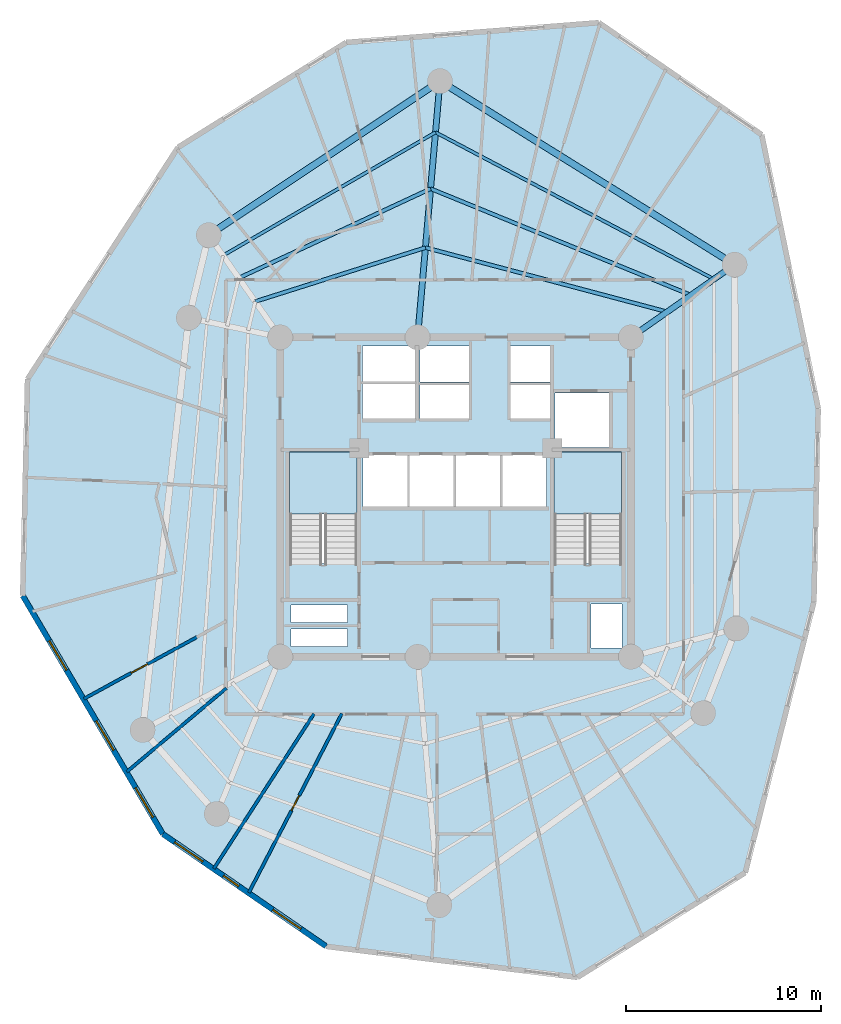
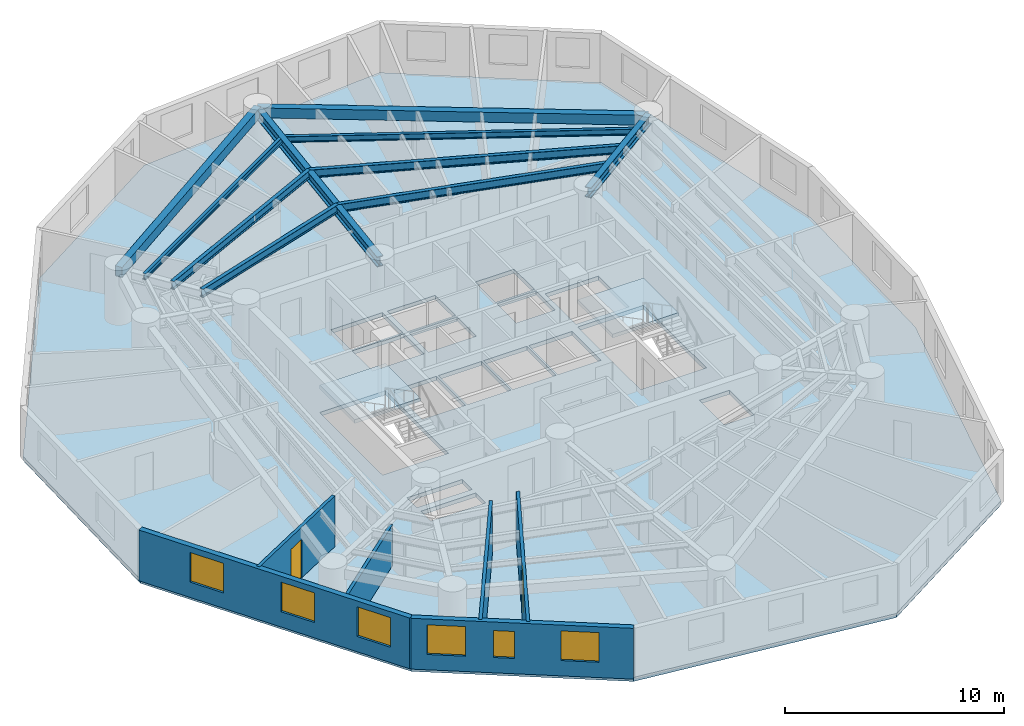
# One storey, part 2 of 8: 10 beams, 6 walls, 6 windows, 3 slabs, 2 doors, 8 openings, 2 elements without a shape of their own.
"""IFC4 building model written with IfcOpenShell, lengths in metres."""

from ifc_helpers import new_model, si_unit, direction, frame, frame_2d, origin, origin_with_axes, origin_2d, place, context, subcontext, project, spatial, polyline, rectangle, i_section, outline, extrude, source, transform, mapped, material, layer, layer_set, material_profile, profile_set, type_object, element, fill, aggregate, save


model = new_model("IFC4")

# Units and contexts
model_context = context("Model", 3, precision=1e-05, world=origin(), true_north=direction((0.0, 1.0)))
body_context = subcontext(model_context, "Body", "Model", "MODEL_VIEW")
ifc_project = project(units=[si_unit("LENGTHUNIT", "METRE"), si_unit("AREAUNIT", "SQUARE_METRE"), si_unit("VOLUMEUNIT", "CUBIC_METRE"), si_unit("PLANEANGLEUNIT", "RADIAN"), si_unit("MASSUNIT", "GRAM", prefix="KILO")], contexts=[model_context])

# Site, building, storey
site_placement = place(None, origin())
site = spatial("IfcSite", under=ifc_project, at=site_placement, CompositionType="ELEMENT")
building_placement = place(site_placement, origin())
building = spatial("IfcBuilding", under=site, at=building_placement, Name="Karkom Vertical University and Central Library", CompositionType="ELEMENT")
storey_placement = place(building_placement, frame((0.0, 0.0, 184.0)))
storey = spatial("IfcBuildingStorey", under=building, at=storey_placement, Name="L53", CompositionType="ELEMENT", Elevation=184.0)

# Beams
ifc_material_1 = material(Name="Precast concrete C45/55", Category="concrete")
ifc_material_profile_1 = material_profile(ifc_material_1, rectangle(XDim=0.35009765625, YDim=0.550048828125, at=origin_2d()), Name="SPB-350x550")
ifc_profile_set_1 = profile_set([ifc_material_profile_1], Name="Precast concrete C45/55")
beam_type_1 = type_object("IfcBeamType", Name="STR-BM-SP-2", PredefinedType="SPANDREL", material=ifc_profile_set_1)
shared_shape_1 = source(origin_with_axes(), body_context, "Body", "SweptSolid", [
    extrude(rectangle(XDim=0.35009765625, YDim=0.550048828125, at=origin_2d()), origin(), (0.0, 0.0, 1.0), 17.81884765625),
])
beam_1_placement = place(storey_placement, frame((42.823974609375, 38.427978515625, 2.550048828125), z_axis=(-0.848764070164, 0.528771740167, 0.0), x_axis=(-0.528771740167, -0.848764070164, 0.0)))
element("IfcBeam", 1, at=beam_1_placement, inside=storey, type_object=beam_type_1, Name="Level 53 Perimeter Spandrel Beam 02", PredefinedType="SPANDREL", context=body_context, shape_type="MappedRepresentation", body=[
    mapped(shared_shape_1, transform((0.0, 0.0, 0.0), scale=1.0)),
])
shared_shape_2 = source(origin_with_axes(), body_context, "Body", "SweptSolid", [
    extrude(rectangle(XDim=0.35009765625, YDim=0.550048828125, at=origin_2d()), origin(), (0.0, 0.0, 1.0), 14.26318359375),
])
beam_2_placement = place(storey_placement, frame((27.699951171875, 47.85009765625, 2.550048828125), z_axis=(-0.83227406272, -0.554364396876, 0.0), x_axis=(0.554364396876, -0.83227406272, 0.0)))
element("IfcBeam", 2, at=beam_2_placement, inside=storey, type_object=beam_type_1, Name="Level 53 Perimeter Spandrel Beam 03", PredefinedType="SPANDREL", context=body_context, shape_type="MappedRepresentation", body=[
    mapped(shared_shape_2, transform((0.0, 0.0, 0.0), scale=1.0)),
])
ifc_material_2 = material(Name="Steel S355", Category="steel")
ifc_material_profile_2 = material_profile(ifc_material_2, i_section(OverallWidth=0.18994140625, OverallDepth=0.449951171875, WebThickness=0.009521484375, FlangeThickness=0.0146484375, FilletRadius=0.02099609375, at=origin_2d()), Name="IPE 450")
ifc_profile_set_2 = profile_set([ifc_material_profile_2], Name="Steel S355")
beam_type_2 = type_object("IfcBeamType", Name="STR-BM-SB-IPE450", PredefinedType="BEAM", material=ifc_profile_set_2)
shared_shape_3 = source(origin_with_axes(), body_context, "Body", "SweptSolid", [
    extrude(i_section(OverallWidth=0.18994140625, OverallDepth=0.449951171875, WebThickness=0.009521484375, FlangeThickness=0.0146484375, FilletRadius=0.02099609375, at=origin_2d()), origin(), (0.0, 0.0, 1.0), 12.841552734375),
])
beam_3_placement = place(storey_placement, frame((39.36328125, 36.0048828125, 2.60009765625), z_axis=(-0.96646647674, 0.256792814032, 0.0), x_axis=(-0.256792814032, -0.96646647674, 0.0)))
element("IfcBeam", 3, at=beam_3_placement, inside=storey, type_object=beam_type_2, Name="Level 53 Secondary Composite Floor Beam 1.02", PredefinedType="BEAM", context=body_context, shape_type="MappedRepresentation", body=[
    mapped(shared_shape_3, transform((0.0, 0.0, 0.0), scale=1.0)),
])
shared_shape_4 = source(origin_with_axes(), body_context, "Body", "SweptSolid", [
    extrude(i_section(OverallWidth=0.18994140625, OverallDepth=0.449951171875, WebThickness=0.009521484375, FlangeThickness=0.0146484375, FilletRadius=0.02099609375, at=origin_2d()), origin(), (0.0, 0.0, 1.0), 9.1650390625),
])
beam_4_placement = place(storey_placement, frame((26.952392578125, 39.302490234375, 2.60009765625), z_axis=(-0.953318200449, -0.301967562319, 0.0), x_axis=(0.301967562319, -0.953318200449, 0.0)))
element("IfcBeam", 4, at=beam_4_placement, inside=storey, type_object=beam_type_2, Name="Level 53 Secondary Composite Floor Beam 1.03", PredefinedType="BEAM", context=body_context, shape_type="MappedRepresentation", body=[
    mapped(shared_shape_4, transform((0.0, 0.0, 0.0), scale=1.0)),
])
shared_shape_5 = source(origin_with_axes(), body_context, "Body", "SweptSolid", [
    extrude(i_section(OverallWidth=0.18994140625, OverallDepth=0.449951171875, WebThickness=0.009521484375, FlangeThickness=0.0146484375, FilletRadius=0.02099609375, at=origin_2d()), origin(), (0.0, 0.0, 1.0), 14.4443359375),
])
beam_5_placement = place(storey_placement, frame((40.587890625, 36.8623046875, 2.60009765625), z_axis=(-0.925675328736, 0.378318894281, 0.0), x_axis=(-0.378318894281, -0.925675328736, 0.0)))
element("IfcBeam", 5, at=beam_5_placement, inside=storey, type_object=beam_type_2, Name="Level 53 Secondary Composite Floor Beam 2.02", PredefinedType="BEAM", context=body_context, shape_type="MappedRepresentation", body=[
    mapped(shared_shape_5, transform((0.0, 0.0, 0.0), scale=1.0)),
])
shared_shape_6 = source(origin_with_axes(), body_context, "Body", "SweptSolid", [
    extrude(i_section(OverallWidth=0.18994140625, OverallDepth=0.449951171875, WebThickness=0.009521484375, FlangeThickness=0.0146484375, FilletRadius=0.02099609375, at=origin_2d()), origin(), (0.0, 0.0, 1.0), 10.86181640625),
])
beam_6_placement = place(storey_placement, frame((27.217041015625, 42.326904296875, 2.60009765625), z_axis=(-0.90649871419, -0.422208575436, 0.0), x_axis=(0.422208575436, -0.90649871419, 0.0)))
element("IfcBeam", 6, at=beam_6_placement, inside=storey, type_object=beam_type_2, Name="Level 53 Secondary Composite Floor Beam 2.03", PredefinedType="BEAM", context=body_context, shape_type="MappedRepresentation", body=[
    mapped(shared_shape_6, transform((0.0, 0.0, 0.0), scale=1.0)),
])
ifc_material_profile_3 = material_profile(ifc_material_2, i_section(OverallWidth=0.159912109375, OverallDepth=0.330078125, WebThickness=0.007568359375, FlangeThickness=0.011474609375, FilletRadius=0.01806640625, at=origin_2d()), Name="IPE 330")
ifc_profile_set_3 = profile_set([ifc_material_profile_3], Name="Steel S355")
beam_type_3 = type_object("IfcBeamType", Name="STR-BM-SB-IPE330", PredefinedType="BEAM", material=ifc_profile_set_3)
shared_shape_7 = source(origin_with_axes(), body_context, "Body", "SweptSolid", [
    extrude(i_section(OverallWidth=0.159912109375, OverallDepth=0.330078125, WebThickness=0.007568359375, FlangeThickness=0.011474609375, FilletRadius=0.01806640625, at=origin_2d()), origin(), (0.0, 0.0, 1.0), 16.155517578125),
])
beam_7_placement = place(storey_placement, frame((41.75927734375, 37.682373046875, 2.659912109375), z_axis=(-0.884486447848, 0.466565883423, 0.0), x_axis=(-0.466565883423, -0.884486447848, 0.0)))
element("IfcBeam", 7, at=beam_7_placement, inside=storey, type_object=beam_type_3, Name="Level 53 Secondary Composite Floor Beam 3.02", PredefinedType="BEAM", context=body_context, shape_type="MappedRepresentation", body=[
    mapped(shared_shape_7, transform((0.0, 0.0, 0.0), scale=1.0)),
])
shared_shape_8 = source(origin_with_axes(), body_context, "Body", "SweptSolid", [
    extrude(i_section(OverallWidth=0.159912109375, OverallDepth=0.330078125, WebThickness=0.007568359375, FlangeThickness=0.011474609375, FilletRadius=0.01806640625, at=origin_2d()), origin(), (0.0, 0.0, 1.0), 12.6083984375),
])
beam_8_placement = place(storey_placement, frame((27.469970703125, 45.219970703125, 2.659912109375), z_axis=(-0.865038920595, -0.50170475965, 0.0), x_axis=(0.50170475965, -0.865038920595, 0.0)))
element("IfcBeam", 8, at=beam_8_placement, inside=storey, type_object=beam_type_3, Name="Level 53 Secondary Composite Floor Beam 3.03", PredefinedType="BEAM", context=body_context, shape_type="MappedRepresentation", body=[
    mapped(shared_shape_8, transform((0.0, 0.0, 0.0), scale=1.0)),
])
ifc_material_profile_4 = material_profile(ifc_material_2, i_section(OverallWidth=0.300048828125, OverallDepth=0.550048828125, WebThickness=0.014892578125, FlangeThickness=0.029052734375, FilletRadius=0.027099609375, at=origin_2d()), Name="HE 550 B")
ifc_profile_set_4 = profile_set([ifc_material_profile_4], Name="Steel S355")
beam_type_4 = type_object("IfcBeamType", Name="STR-BM-SB-HE550", PredefinedType="USERDEFINED", material=ifc_profile_set_4)
shared_shape_9 = source(origin_with_axes(), body_context, "Body", "SweptSolid", [
    extrude(i_section(OverallWidth=0.300048828125, OverallDepth=0.550048828125, WebThickness=0.014892578125, FlangeThickness=0.029052734375, FilletRadius=0.027099609375, at=origin_2d()), origin(), (0.0, 0.0, 1.0), 6.49951171875),
])
beam_9_placement = place(storey_placement, frame((37.5, 34.699951171875, 2.550048828125), z_axis=(0.819141909878, 0.573590909517, 0.0), x_axis=(-0.573590909517, 0.819141909878, 0.0)))
element("IfcBeam", 9, at=beam_9_placement, inside=storey, type_object=beam_type_4, Name="Level 53 Radial Frame Girder 02", ObjectType="GIRDER", PredefinedType="USERDEFINED", context=body_context, shape_type="MappedRepresentation", body=[
    mapped(shared_shape_9, transform((0.0, 0.0, 0.0), scale=1.0)),
])
shared_shape_10 = source(origin_with_axes(), body_context, "Body", "SweptSolid", [
    extrude(i_section(OverallWidth=0.300048828125, OverallDepth=0.550048828125, WebThickness=0.014892578125, FlangeThickness=0.029052734375, FilletRadius=0.027099609375, at=origin_2d()), origin(), (0.0, 0.0, 1.0), 13.200439453125),
])
beam_10_placement = place(storey_placement, frame((26.550048828125, 34.699951171875, 2.550048828125), z_axis=(0.087111657164, 0.996198554098, 0.0), x_axis=(-0.996198554098, 0.087111657164, 0.0)))
element("IfcBeam", 10, at=beam_10_placement, inside=storey, type_object=beam_type_4, Name="Level 53 Radial Frame Girder 03", ObjectType="GIRDER", PredefinedType="USERDEFINED", context=body_context, shape_type="MappedRepresentation", body=[
    mapped(shared_shape_10, transform((0.0, 0.0, 0.0), scale=1.0)),
])

# Stair, slab
ifc_material_3 = material(Name="Concrete C45/55", Category="concrete")
stair_type = type_object("IfcStairType", Name="INT-STR-ST-MAIN", PredefinedType="HALF_TURN_STAIR", material=ifc_material_3)
stair_1_placement = place(storey_placement, origin())
stair_1 = element("IfcStair", 11, at=stair_1_placement, inside=storey, type_object=stair_type, Name="Level 53 Tower Protected Exit Stair ST-1", PredefinedType="HALF_TURN_STAIR")
ifc_layer_1 = layer(ifc_material_3, 0.199951171875)
ifc_layer_set_1 = layer_set([ifc_layer_1], Name="Concrete C45/55")
slab_type_1 = type_object("IfcSlabType", Name="INT-SLB-LANDING", PredefinedType="LANDING", material=ifc_layer_set_1)
slab_1_placement = place(storey_placement, frame((0.0, 0.0, 1.324951171875)))
slab_1 = element("IfcSlab", 12, at=slab_1_placement, type_object=slab_type_1, Name="ST-1 landing 1", PredefinedType="LANDING", context=body_context, shape_type="SweptSolid", body=[
    extrude(outline(polyline([(23.43994140625, 25.6298828125), (23.43994140625, 28.820068359375), (19.97998046875, 28.820068359375), (19.97998046875, 25.6298828125), (23.43994140625, 25.6298828125)])), origin(), (0.0, 0.0, 1.0), 0.199951171875),
])
aggregate(stair_1, [slab_1])

stair_2_placement = place(storey_placement, origin())
stair_2 = element("IfcStair", 13, at=stair_2_placement, inside=storey, type_object=stair_type, Name="Level 53 Tower Protected Exit Stair ST-2", PredefinedType="HALF_TURN_STAIR")
slab_2_placement = place(storey_placement, frame((0.0, 0.0, 1.324951171875)))
slab_2 = element("IfcSlab", 14, at=slab_2_placement, type_object=slab_type_1, Name="ST-2 landing 1", PredefinedType="LANDING", context=body_context, shape_type="SweptSolid", body=[
    extrude(outline(polyline([(37.02001953125, 25.6298828125), (37.02001953125, 28.820068359375), (33.56005859375, 28.820068359375), (33.56005859375, 25.6298828125), (37.02001953125, 25.6298828125)])), origin(), (0.0, 0.0, 1.0), 0.199951171875),
])
aggregate(stair_2, [slab_2])

# Slab
ifc_layer_2 = layer(ifc_material_3, 0.22509765625)
ifc_layer_set_2 = layer_set([ifc_layer_2], Name="Concrete C45/55")
slab_type_2 = type_object("IfcSlabType", Name="STR-SLB-FLR-225", PredefinedType="FLOOR", material=ifc_layer_set_2)
slab_3_placement = place(storey_placement, frame((0.0, 0.0, -0.22509765625)))
element("IfcSlab", 15, at=slab_3_placement, inside=storey, type_object=slab_type_2, Name="Level 53 Tower Structural Floor Slab", PredefinedType="FLOOR", context=body_context, shape_type="SweptSolid", body=[
    extrude(outline(polyline([(6.53076171875, 32.55322265625), (6.2822265625, 21.43408203125), (13.472900390625, 9.201171875), (21.850341796875, 3.439453125), (34.757568359375, 1.85009765625), (43.365478515625, 7.22021484375), (46.888427734375, 21.122802734375), (47.110107421875, 31.05029296875), (44.211669921875, 45.0966796875), (35.852294921875, 50.845947265625), (22.886962890625, 49.83447265625), (14.2607421875, 44.452880859375), (6.53076171875, 32.55322265625)]), holes=[polyline([(19.97998046875, 23.0849609375), (23.43994140625, 23.0849609375), (23.43994140625, 28.820068359375), (19.97998046875, 28.820068359375), (19.97998046875, 23.0849609375)]), polyline([(33.56005859375, 23.0849609375), (37.02001953125, 23.0849609375), (37.02001953125, 28.820068359375), (33.56005859375, 28.820068359375), (33.56005859375, 23.0849609375)]), polyline([(23.75, 26.0), (26.030029296875, 26.0), (26.030029296875, 28.64990234375), (23.75, 28.64990234375), (23.75, 26.0)]), polyline([(26.1298828125, 26.0), (28.409912109375, 26.0), (28.409912109375, 28.64990234375), (26.1298828125, 28.64990234375), (26.1298828125, 26.0)]), polyline([(28.510009765625, 26.0), (30.7900390625, 26.0), (30.7900390625, 28.64990234375), (28.510009765625, 28.64990234375), (28.510009765625, 26.0)]), polyline([(30.889892578125, 26.0), (33.169921875, 26.0), (33.169921875, 28.64990234375), (30.889892578125, 28.64990234375), (30.889892578125, 26.0)]), polyline([(26.679931640625, 30.5), (29.199951171875, 30.5), (29.199951171875, 32.25), (26.679931640625, 32.25), (26.679931640625, 30.5)]), polyline([(26.679931640625, 32.39990234375), (29.199951171875, 32.39990234375), (29.199951171875, 34.25), (26.679931640625, 34.25), (26.679931640625, 32.39990234375)]), polyline([(31.300048828125, 30.5), (33.35009765625, 30.5), (33.35009765625, 32.25), (31.300048828125, 32.25), (31.300048828125, 30.5)]), polyline([(31.300048828125, 32.39990234375), (33.35009765625, 32.39990234375), (33.35009765625, 34.25), (31.300048828125, 34.25), (31.300048828125, 32.39990234375)]), polyline([(23.719970703125, 30.47998046875), (26.429931640625, 30.47998046875), (26.429931640625, 32.320068359375), (23.719970703125, 32.320068359375), (23.719970703125, 30.47998046875)]), polyline([(23.719970703125, 32.419921875), (26.429931640625, 32.419921875), (26.429931640625, 34.260009765625), (23.719970703125, 34.260009765625), (23.719970703125, 32.419921875)]), polyline([(33.60009765625, 29.050048828125), (36.39990234375, 29.050048828125), (36.39990234375, 31.85009765625), (33.60009765625, 31.85009765625), (33.60009765625, 29.050048828125)]), polyline([(20.050048828125, 18.820068359375), (22.949951171875, 18.820068359375), (22.949951171875, 19.719970703125), (20.050048828125, 19.719970703125), (20.050048828125, 18.820068359375)]), polyline([(20.050048828125, 20.06005859375), (22.949951171875, 20.06005859375), (22.949951171875, 20.9599609375), (20.050048828125, 20.9599609375), (20.050048828125, 20.06005859375)]), polyline([(35.4599609375, 18.760009765625), (37.0400390625, 18.760009765625), (37.0400390625, 21.010009765625), (35.4599609375, 21.010009765625), (35.4599609375, 18.760009765625)])]), origin(), (0.0, 0.0, 1.0), 0.22509765625),
])

# Wall, openings, windows
ifc_material_4 = material(Name="Brick-faced precast concrete C45/55", Category="masonry")
ifc_layer_3 = layer(ifc_material_4, 0.280029296875)
ifc_layer_set_3 = layer_set([ifc_layer_3], Name="Brick-faced precast concrete C45/55")
wall_type_1 = type_object("IfcWallType", Name="ENV-WL-BRK-280", PredefinedType="SOLIDWALL", material=ifc_layer_set_3)
wall_1_placement = place(storey_placement, frame((6.2822265625, 21.43408203125, 0.0), z_axis=(0.0, 0.0, 1.0), x_axis=(0.506750167363, -0.862092957794, 0.0)))
wall_1 = element("IfcWall", 16, at=wall_1_placement, inside=storey, type_object=wall_type_1, Name="Level 53 Brick-Faced Precast Facade Wall 02", PredefinedType="SOLIDWALL", context=body_context, shape_type="SweptSolid", body=[
    extrude(rectangle(XDim=14.189697265625, YDim=0.280029296875, at=frame_2d((7.0947265625, 0.0))), origin(), (0.0, 0.0, 1.0), 2.824951171875),
])
opening_1_placement = place(wall_1_placement, frame((2.679931640625, 0.0, 0.85009765625)))
opening_1 = element("IfcOpeningElement", 17, at=opening_1_placement, cuts=wall_1, Name="Opening WN-08", PredefinedType="OPENING", context=body_context, shape_type="SweptSolid", body=[
    extrude(rectangle(XDim=1.75, YDim=1.64990234375, at=frame_2d((0.875, 0.824951171875))), frame((0.0, 0.14990234375, 0.0), z_axis=(0.0, -1.0, 0.0), x_axis=(1.0, 0.0, 0.0)), (0.0, 0.0, 1.0), 0.300048828125),
])
opening_2_placement = place(wall_1_placement, frame((7.447998046875, 0.0, 0.85009765625)))
opening_2 = element("IfcOpeningElement", 18, at=opening_2_placement, cuts=wall_1, Name="Opening WN-08", PredefinedType="OPENING", context=body_context, shape_type="SweptSolid", body=[
    extrude(rectangle(XDim=1.75, YDim=1.64990234375, at=frame_2d((0.875, 0.824951171875))), frame((0.0, 0.14990234375, 0.0), z_axis=(0.0, -1.0, 0.0), x_axis=(1.0, 0.0, 0.0)), (0.0, 0.0, 1.0), 0.300048828125),
])
opening_3_placement = place(wall_1_placement, frame((11.43603515625, 0.0, 0.85009765625)))
opening_3 = element("IfcOpeningElement", 19, at=opening_3_placement, cuts=wall_1, Name="Opening WN-08", PredefinedType="OPENING", context=body_context, shape_type="SweptSolid", body=[
    extrude(rectangle(XDim=1.75, YDim=1.64990234375, at=frame_2d((0.875, 0.824951171875))), frame((0.0, 0.14990234375, 0.0), z_axis=(0.0, -1.0, 0.0), x_axis=(1.0, 0.0, 0.0)), (0.0, 0.0, 1.0), 0.300048828125),
])
ifc_material_5 = material(Name="Aluminium thermal-break frame with solar-control IGU", Category="aluminium")
window_type_1 = type_object("IfcWindowType", Name="ENV-WIN-WN-08", PartitioningType="SINGLE_PANEL", PredefinedType="WINDOW", material=ifc_material_5)
shared_shape_11 = source(origin_with_axes(), body_context, "Body", "SweptSolid", [
    extrude(rectangle(XDim=1.75, YDim=1.64990234375, at=frame_2d((0.875, 0.824951171875))), frame((0.0, 0.030029296875, 0.0), z_axis=(0.0, -1.0, 0.0), x_axis=(1.0, 0.0, 0.0)), (0.0, 0.0, 1.0), 0.06005859375),
])
window_1_placement = place(opening_1_placement, origin())
window_1 = element("IfcWindow", 20, at=window_1_placement, inside=storey, type_object=window_type_1, Name="Level 53 Punched Window 2.1", OverallHeight=1.64990234375, OverallWidth=1.75, PartitioningType="SINGLE_PANEL", PredefinedType="WINDOW", context=body_context, shape_type="MappedRepresentation", body=[
    mapped(shared_shape_11, transform((0.0, 0.0, 0.0), scale=1.0)),
])
fill(opening_1, window_1)
window_2_placement = place(opening_2_placement, origin())
window_2 = element("IfcWindow", 21, at=window_2_placement, inside=storey, type_object=window_type_1, Name="Level 53 Punched Window 2.2", OverallHeight=1.64990234375, OverallWidth=1.75, PartitioningType="SINGLE_PANEL", PredefinedType="WINDOW", context=body_context, shape_type="MappedRepresentation", body=[
    mapped(shared_shape_11, transform((0.0, 0.0, 0.0), scale=1.0)),
])
fill(opening_2, window_2)
window_3_placement = place(opening_3_placement, origin())
window_3 = element("IfcWindow", 22, at=window_3_placement, inside=storey, type_object=window_type_1, Name="Level 53 Punched Window 2.3", OverallHeight=1.64990234375, OverallWidth=1.75, PartitioningType="SINGLE_PANEL", PredefinedType="WINDOW", context=body_context, shape_type="MappedRepresentation", body=[
    mapped(shared_shape_11, transform((0.0, 0.0, 0.0), scale=1.0)),
])
fill(opening_3, window_3)

wall_2_placement = place(storey_placement, frame((13.472900390625, 9.201171875, 0.0), z_axis=(0.0, 0.0, 1.0), x_axis=(0.823939621933, -0.566677597413, 0.0)))
wall_2 = element("IfcWall", 23, at=wall_2_placement, inside=storey, type_object=wall_type_1, Name="Level 53 Brick-Faced Precast Facade Wall 03", PredefinedType="SOLIDWALL", context=body_context, shape_type="SweptSolid", body=[
    extrude(rectangle(XDim=10.16748046875, YDim=0.280029296875, at=frame_2d((5.083740234375, 0.0))), origin(), (0.0, 0.0, 1.0), 2.824951171875),
])
opening_4_placement = place(wall_2_placement, frame((0.7353515625, 0.0, 0.85009765625)))
opening_4 = element("IfcOpeningElement", 24, at=opening_4_placement, cuts=wall_2, Name="Opening WN-08", PredefinedType="OPENING", context=body_context, shape_type="SweptSolid", body=[
    extrude(rectangle(XDim=1.75, YDim=1.64990234375, at=frame_2d((0.875, 0.824951171875))), frame((0.0, 0.14990234375, 0.0), z_axis=(0.0, -1.0, 0.0), x_axis=(1.0, 0.0, 0.0)), (0.0, 0.0, 1.0), 0.300048828125),
])
opening_5_placement = place(wall_2_placement, frame((3.77392578125, 0.0, 0.85009765625)))
opening_5 = element("IfcOpeningElement", 25, at=opening_5_placement, cuts=wall_2, Name="Opening WN-12", PredefinedType="OPENING", context=body_context, shape_type="SweptSolid", body=[
    extrude(rectangle(XDim=0.949951171875, YDim=1.5, at=frame_2d((0.47509765625, 0.75))), frame((0.0, 0.14990234375, 0.0), z_axis=(0.0, -1.0, 0.0), x_axis=(1.0, 0.0, 0.0)), (0.0, 0.0, 1.0), 0.300048828125),
])
opening_6_placement = place(wall_2_placement, frame((6.84716796875, 0.0, 0.85009765625)))
opening_6 = element("IfcOpeningElement", 26, at=opening_6_placement, cuts=wall_2, Name="Opening WN-08", PredefinedType="OPENING", context=body_context, shape_type="SweptSolid", body=[
    extrude(rectangle(XDim=1.75, YDim=1.64990234375, at=frame_2d((0.875, 0.824951171875))), frame((0.0, 0.14990234375, 0.0), z_axis=(0.0, -1.0, 0.0), x_axis=(1.0, 0.0, 0.0)), (0.0, 0.0, 1.0), 0.300048828125),
])
window_type_2 = type_object("IfcWindowType", Name="ENV-WIN-WN-12", PartitioningType="SINGLE_PANEL", PredefinedType="WINDOW", material=ifc_material_5)
shared_shape_12 = source(origin_with_axes(), body_context, "Body", "SweptSolid", [
    extrude(rectangle(XDim=0.949951171875, YDim=1.5, at=frame_2d((0.47509765625, 0.75))), frame((0.0, 0.030029296875, 0.0), z_axis=(0.0, -1.0, 0.0), x_axis=(1.0, 0.0, 0.0)), (0.0, 0.0, 1.0), 0.06005859375),
])
window_4_placement = place(opening_5_placement, origin())
window_4 = element("IfcWindow", 27, at=window_4_placement, inside=storey, type_object=window_type_2, Name="Level 53 Punched Window 3.2", OverallHeight=1.5, OverallWidth=0.949951171875, PartitioningType="SINGLE_PANEL", PredefinedType="WINDOW", context=body_context, shape_type="MappedRepresentation", body=[
    mapped(shared_shape_12, transform((0.0, 0.0, 0.0), scale=1.0)),
])
fill(opening_5, window_4)
window_5_placement = place(opening_4_placement, origin())
window_5 = element("IfcWindow", 28, at=window_5_placement, inside=storey, type_object=window_type_1, Name="Level 53 Punched Window 3.1", OverallHeight=1.64990234375, OverallWidth=1.75, PartitioningType="SINGLE_PANEL", PredefinedType="WINDOW", context=body_context, shape_type="MappedRepresentation", body=[
    mapped(shared_shape_11, transform((0.0, 0.0, 0.0), scale=1.0)),
])
fill(opening_4, window_5)
window_6_placement = place(opening_6_placement, origin())
window_6 = element("IfcWindow", 29, at=window_6_placement, inside=storey, type_object=window_type_1, Name="Level 53 Punched Window 3.3", OverallHeight=1.64990234375, OverallWidth=1.75, PartitioningType="SINGLE_PANEL", PredefinedType="WINDOW", context=body_context, shape_type="MappedRepresentation", body=[
    mapped(shared_shape_11, transform((0.0, 0.0, 0.0), scale=1.0)),
])
fill(opening_6, window_6)

# Wall, opening, door
ifc_material_6 = material(Name="Insulated metal-stud drywall 160mm", Category="gypsum")
ifc_layer_4 = layer(ifc_material_6, 0.159912109375)
ifc_layer_set_4 = layer_set([ifc_layer_4], Name="Insulated metal-stud drywall 160mm")
wall_type_2 = type_object("IfcWallType", Name="INT-WL-COR-160", PredefinedType="PARTITIONING", material=ifc_layer_set_4)
wall_3_placement = place(storey_placement, frame((22.6630859375, 15.389892578125, 0.0), z_axis=(0.0, 0.0, 1.0), x_axis=(-0.460857031954, -0.887474391799, 0.0)))
wall_3 = element("IfcWall", 30, at=wall_3_placement, inside=storey, type_object=wall_type_2, Name="Level 53 Interior Partition Wall L53-PW-010", PredefinedType="PARTITIONING", context=body_context, shape_type="SweptSolid", body=[
    extrude(rectangle(XDim=10.3603515625, YDim=0.159912109375, at=frame_2d((5.18017578125, 0.0))), origin(), (0.0, 0.0, 1.0), 2.824951171875),
])
opening_7_placement = place(wall_3_placement, frame((4.750244140625, 0.0, 0.0)))
opening_7 = element("IfcOpeningElement", 31, at=opening_7_placement, cuts=wall_3, Name="Opening FD-BTH2", PredefinedType="OPENING", context=body_context, shape_type="SweptSolid", body=[
    extrude(rectangle(XDim=0.860107421875, YDim=2.0400390625, at=frame_2d((0.43017578125, 1.02001953125))), frame((0.0, 0.08984375, 0.0), z_axis=(0.0, -1.0, 0.0), x_axis=(1.0, 0.0, 0.0)), (0.0, 0.0, 1.0), 0.179931640625),
])
ifc_material_7 = material(Name="Fire-rated moisture-resistant oak door", Category="wood")
door_type_1 = type_object("IfcDoorType", Name="INT-DR-FBTH2", OperationType="NOTDEFINED", PredefinedType="DOOR", material=ifc_material_7)
shared_shape_13 = source(origin_with_axes(), body_context, "Body", "SweptSolid", [
    extrude(rectangle(XDim=0.860107421875, YDim=2.0400390625, at=frame_2d((0.43017578125, 1.02001953125))), frame((0.0, 0.02490234375, 0.0), z_axis=(0.0, -1.0, 0.0), x_axis=(1.0, 0.0, 0.0)), (0.0, 0.0, 1.0), 0.050048828125),
])
door_1_placement = place(opening_7_placement, origin())
door_1 = element("IfcDoor", 32, at=door_1_placement, inside=storey, type_object=door_type_1, Name="Level 53 Faculty Support and Campus Staff Room Entry Door", OperationType="SINGLE_SWING_RIGHT", OverallHeight=2.0400390625, OverallWidth=0.860107421875, PredefinedType="DOOR", context=body_context, shape_type="MappedRepresentation", body=[
    mapped(shared_shape_13, transform((0.0, 0.0, 0.0), scale=1.0)),
])
fill(opening_7, door_1)

# Walls
wall_4_placement = place(storey_placement, frame((21.23193359375, 15.375244140625, 0.0), z_axis=(0.0, 0.0, 1.0), x_axis=(-0.543144297606, -0.839639370193, 0.0)))
element("IfcWall", 33, at=wall_4_placement, inside=storey, type_object=wall_type_2, Name="Level 53 Interior Partition Wall L53-PW-009", PredefinedType="PARTITIONING", context=body_context, shape_type="SweptSolid", body=[
    extrude(rectangle(XDim=9.462646484375, YDim=0.159912109375, at=frame_2d((4.7314453125, 0.0))), origin(), (0.0, 0.0, 1.0), 2.824951171875),
])
wall_5_placement = place(storey_placement, frame((16.734619140625, 16.691162109375, 0.0), z_axis=(0.0, 0.0, 1.0), x_axis=(-0.765561460258, -0.643362767471, 0.0)))
element("IfcWall", 34, at=wall_5_placement, inside=storey, type_object=wall_type_2, Name="Level 53 Interior Partition Wall L53-PW-008", PredefinedType="PARTITIONING", context=body_context, shape_type="SweptSolid", body=[
    extrude(rectangle(XDim=6.675048828125, YDim=0.159912109375, at=frame_2d((3.33740234375, 0.0))), origin(), (0.0, 0.0, 1.0), 2.27490234375),
])

# Wall, opening, door
wall_6_placement = place(storey_placement, frame((15.22802734375, 19.315673828125, 0.0), z_axis=(0.0, 0.0, 1.0), x_axis=(-0.877515989252, -0.479547378897, 0.0)))
wall_6 = element("IfcWall", 35, at=wall_6_placement, inside=storey, type_object=wall_type_2, Name="Level 53 Interior Partition Wall L53-PW-007", PredefinedType="PARTITIONING", context=body_context, shape_type="SweptSolid", body=[
    extrude(rectangle(XDim=6.616943359375, YDim=0.159912109375, at=frame_2d((3.30859375, 0.0))), origin(), (0.0, 0.0, 1.0), 2.824951171875),
])
opening_8_placement = place(wall_6_placement, frame((2.908203125, 0.0, 0.0)))
opening_8 = element("IfcOpeningElement", 36, at=opening_8_placement, cuts=wall_6, Name="Opening D-RM1", PredefinedType="OPENING", context=body_context, shape_type="SweptSolid", body=[
    extrude(rectangle(XDim=0.949951171875, YDim=2.14990234375, at=frame_2d((0.47509765625, 1.074951171875))), frame((0.0, 0.08984375, 0.0), z_axis=(0.0, -1.0, 0.0), x_axis=(1.0, 0.0, 0.0)), (0.0, 0.0, 1.0), 0.179931640625),
])
ifc_material_8 = material(Name="Solid-core oak veneer door", Category="wood")
door_type_2 = type_object("IfcDoorType", Name="INT-DR-RM1", OperationType="NOTDEFINED", PredefinedType="DOOR", material=ifc_material_8)
shared_shape_14 = source(origin_with_axes(), body_context, "Body", "SweptSolid", [
    extrude(rectangle(XDim=0.949951171875, YDim=2.14990234375, at=frame_2d((0.47509765625, 1.074951171875))), frame((0.0, 0.02490234375, 0.0), z_axis=(0.0, -1.0, 0.0), x_axis=(1.0, 0.0, 0.0)), (0.0, 0.0, 1.0), 0.050048828125),
])
door_2_placement = place(opening_8_placement, origin())
door_2 = element("IfcDoor", 37, at=door_2_placement, inside=storey, type_object=door_type_2, Name="Level 53 Room Entry Door 020", OperationType="SINGLE_SWING_LEFT", OverallHeight=2.14990234375, OverallWidth=0.949951171875, PredefinedType="DOOR", context=body_context, shape_type="MappedRepresentation", body=[
    mapped(shared_shape_14, transform((0.0, 0.0, 0.0), scale=1.0)),
])
fill(opening_8, door_2)

save(model, "model.ifc")
